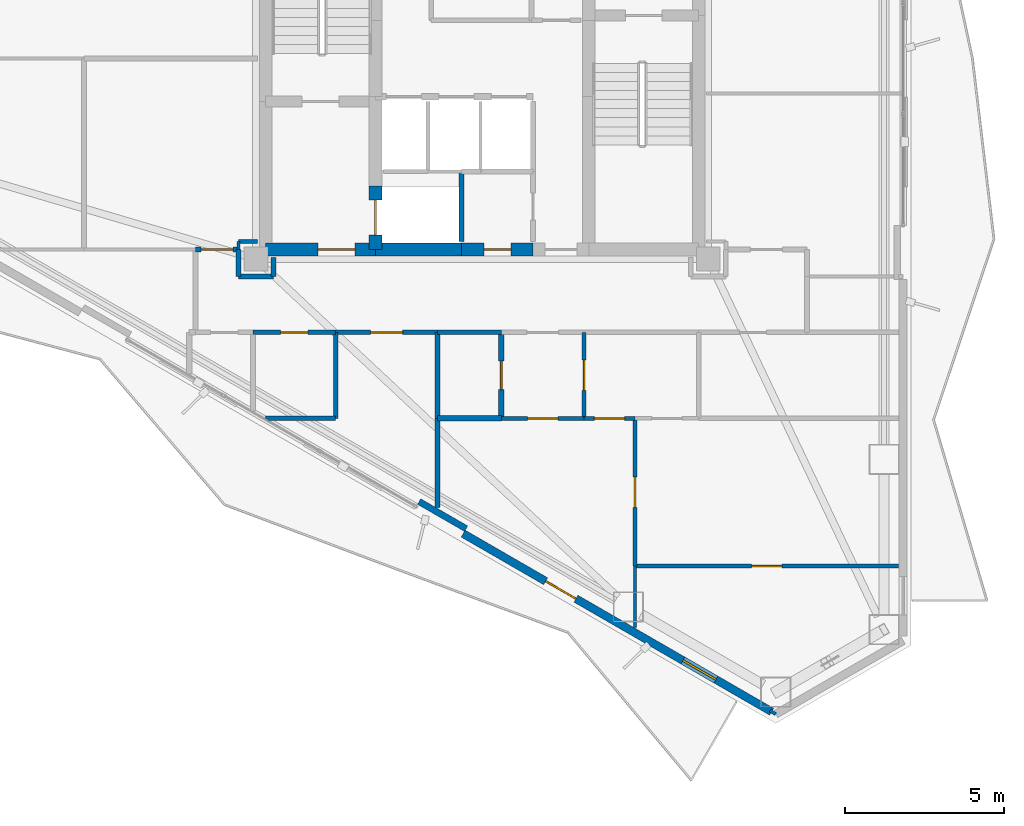
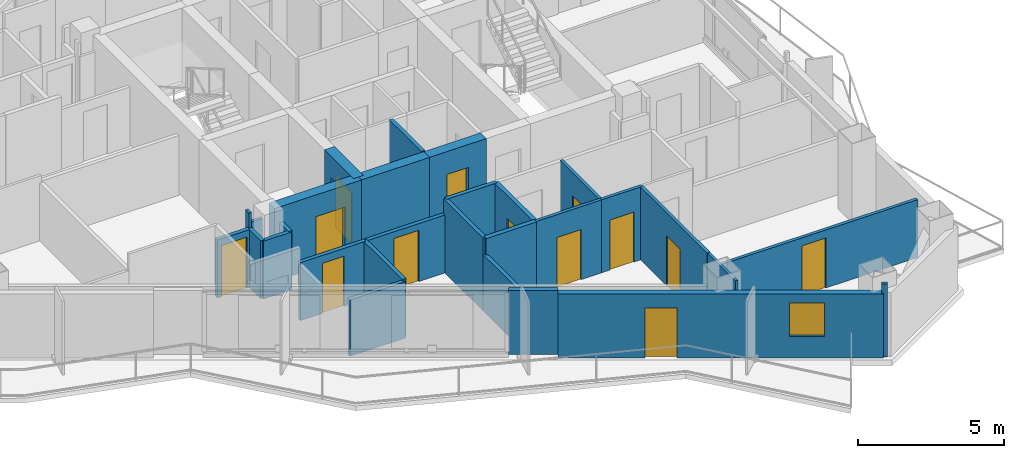
# One storey, part 12 of 18: 29 walls, 13 doors, 1 window, 14 openings.
"""IFC4 building model written with IfcOpenShell, lengths in metres."""

from ifc_helpers import new_model, si_unit, direction, frame, frame_2d, origin, place, context, subcontext, project, spatial, rectangle, extrude, material, layer, layer_set, type_object, element, fill, save


model = new_model("IFC4")

# Units and contexts
model_context = context("Model", 3, precision=1e-05, world=origin(), true_north=direction((0.0, 1.0)))
body_context = subcontext(model_context, "Body", "Model", "MODEL_VIEW")
ifc_project = project(units=[si_unit("LENGTHUNIT", "METRE"), si_unit("AREAUNIT", "SQUARE_METRE"), si_unit("VOLUMEUNIT", "CUBIC_METRE"), si_unit("PLANEANGLEUNIT", "RADIAN"), si_unit("MASSUNIT", "GRAM", prefix="KILO")], contexts=[model_context])

# Site, building, storey
site_placement = place(None, origin())
site = spatial("IfcSite", under=ifc_project, at=site_placement, CompositionType="ELEMENT")
building_placement = place(site_placement, origin())
building = spatial("IfcBuilding", under=site, at=building_placement, Name="Mersakhor Tower and Convention Hall", CompositionType="ELEMENT")
storey_placement = place(building_placement, frame((0.0, 0.0, 134.39990234375)))
storey = spatial("IfcBuildingStorey", under=building, at=storey_placement, Name="L37", CompositionType="ELEMENT", Elevation=134.39990234375)

# Wall, openings, door, window
ifc_material_1 = material(Name="Precast concrete C40/50", Category="concrete")
ifc_layer_1 = layer(ifc_material_1, 0.25)
ifc_layer_set_1 = layer_set([ifc_layer_1], Name="Precast concrete C40/50")
wall_type_1 = type_object("IfcWallType", Name="WL-EXT-250", PredefinedType="SOLIDWALL", material=ifc_layer_set_1)
wall_1_placement = place(storey_placement, frame((38.090576171875, 6.2373046875, 0.0), z_axis=(0.0, 0.0, 1.0), x_axis=(-0.86602239209, 0.500005216371, 0.0)))
wall_1 = element("IfcWall", 1, at=wall_1_placement, inside=storey, type_object=wall_type_1, Name="L37 Exterior Facade Wall F3-B1", PredefinedType="SOLIDWALL", context=body_context, shape_type="SweptSolid", body=[
    extrude(rectangle(XDim=11.18603515625, YDim=0.25, at=frame_2d((5.593017578125, 0.0))), origin(), (0.0, 0.0, 1.0), 2.68017578125),
])
opening_1_placement = place(wall_1_placement, frame((7.094970703125, 0.0, 0.0)))
opening_1 = element("IfcOpeningElement", 2, at=opening_1_placement, cuts=wall_1, Name="Opening BD-02", PredefinedType="OPENING", context=body_context, shape_type="SweptSolid", body=[
    extrude(rectangle(XDim=1.10009765625, YDim=2.10009765625, at=frame_2d((0.550048828125, 1.050048828125))), frame((0.0, 0.135009765625, 0.0), z_axis=(0.0, -1.0, 0.0), x_axis=(1.0, 0.0, 0.0)), (0.0, 0.0, 1.0), 0.27001953125),
])
opening_2_placement = place(wall_1_placement, frame((2.02001953125, 0.0, 0.89990234375)))
opening_2 = element("IfcOpeningElement", 3, at=opening_2_placement, cuts=wall_1, Name="Opening W-01", PredefinedType="OPENING", context=body_context, shape_type="SweptSolid", body=[
    extrude(rectangle(XDim=1.199951171875, YDim=1.39990234375, at=frame_2d((0.60009765625, 0.699951171875))), frame((0.0, 0.135009765625, 0.0), z_axis=(0.0, -1.0, 0.0), x_axis=(1.0, 0.0, 0.0)), (0.0, 0.0, 1.0), 0.27001953125),
])
ifc_material_2 = material(Name="Thermally broken dark aluminium and safety glass", Category="aluminium")
door_type_1 = type_object("IfcDoorType", Name="DR-BAL-110x210", OperationType="NOTDEFINED", PredefinedType="DOOR", material=ifc_material_2)
door_1_placement = place(opening_1_placement, origin())
door_1 = element("IfcDoor", 4, at=door_1_placement, inside=storey, type_object=door_type_1, Name="L37 Balcony Terrace Door F3-B1", OperationType="SINGLE_SWING_RIGHT", OverallHeight=2.10009765625, OverallWidth=1.10009765625, PredefinedType="DOOR", context=body_context, shape_type="SweptSolid", body=[
    extrude(rectangle(XDim=1.10009765625, YDim=2.10009765625, at=frame_2d((0.550048828125, 1.050048828125))), frame((0.0, 0.02490234375, 0.0), z_axis=(0.0, -1.0, 0.0), x_axis=(1.0, 0.0, 0.0)), (0.0, 0.0, 1.0), 0.050048828125),
])
fill(opening_1, door_1)
ifc_material_3 = material(Name="Dark solar low-E glazed aluminium window", Category="aluminium")
window_type = type_object("IfcWindowType", Name="WN-RES-120x150", PartitioningType="SINGLE_PANEL", PredefinedType="WINDOW", material=ifc_material_3)
window_placement = place(opening_2_placement, origin())
window = element("IfcWindow", 5, at=window_placement, inside=storey, type_object=window_type, Name="L37 Bedroom Facade Window F3-B1-1", OverallHeight=1.39990234375, OverallWidth=1.199951171875, PartitioningType="SINGLE_PANEL", PredefinedType="WINDOW", context=body_context, shape_type="SweptSolid", body=[
    extrude(rectangle(XDim=1.199951171875, YDim=1.39990234375, at=frame_2d((0.60009765625, 0.699951171875))), frame((0.0, 0.030029296875, 0.0), z_axis=(0.0, -1.0, 0.0), x_axis=(1.0, 0.0, 0.0)), (0.0, 0.0, 1.0), 0.06005859375),
])
fill(opening_2, window)

# Wall
ifc_material_4 = material(Name="Precast concrete C40/50", Category="concrete")
ifc_layer_2 = layer(ifc_material_4, 0.199951171875)
ifc_layer_set_2 = layer_set([ifc_layer_2], Name="Precast concrete C40/50")
wall_type_2 = type_object("IfcWallType", Name="WL-PAR-200", PredefinedType="PARAPET", material=ifc_layer_set_2)
wall_2_placement = place(storey_placement, frame((28.4931640625, 11.986328125, 0.0), z_axis=(0.0, 0.0, 1.0), x_axis=(-0.86605165483, 0.499954529098, 0.0)))
element("IfcWall", 6, at=wall_2_placement, inside=storey, type_object=wall_type_2, Name="L37 Column Pier Cladding Wall F3-C1", PredefinedType="PARAPET", context=body_context, shape_type="SweptSolid", body=[
    extrude(rectangle(XDim=1.699951171875, YDim=0.199951171875, at=frame_2d((0.85009765625, 0.0))), origin(), (0.0, 0.0, 1.0), 2.68017578125),
])

# Wall, opening, door
ifc_material_5 = material(Name="Moisture-resistant acoustic drywall studwork", Category="other")
ifc_layer_3 = layer(ifc_material_5, 0.175048828125)
ifc_layer_set_3 = layer_set([ifc_layer_3], Name="Moisture-resistant acoustic drywall studwork")
wall_type_3 = type_object("IfcWallType", Name="WL-PLM-175", PredefinedType="PLUMBINGWALL", material=ifc_layer_set_3)
wall_3_placement = place(storey_placement, frame((29.60009765625, 15.449951171875, 0.0), z_axis=(0.0, 0.0, 1.0), x_axis=(0.0, 1.0, 0.0)))
wall_3 = element("IfcWall", 7, at=wall_3_placement, inside=storey, type_object=wall_type_3, Name="L37 Interior Partition Wall P-056", PredefinedType="PLUMBINGWALL", context=body_context, shape_type="SweptSolid", body=[
    extrude(rectangle(XDim=2.699951171875, YDim=0.175048828125, at=frame_2d((1.35009765625, 0.0))), origin(), (0.0, 0.0, 1.0), 3.06005859375),
])
opening_3_placement = place(wall_3_placement, frame((0.89990234375, 0.0, 0.0)))
opening_3 = element("IfcOpeningElement", 8, at=opening_3_placement, cuts=wall_3, Name="Opening WD-01", PredefinedType="OPENING", context=body_context, shape_type="SweptSolid", body=[
    extrude(rectangle(XDim=0.89990234375, YDim=2.10009765625, at=frame_2d((0.449951171875, 1.050048828125))), frame((0.0, 0.097412109375, 0.0), z_axis=(0.0, -1.0, 0.0), x_axis=(1.0, 0.0, 0.0)), (0.0, 0.0, 1.0), 0.195068359375),
])
ifc_material_6 = material(Name="Solid-core hardwood leaf in painted steel frame", Category="steel")
door_type_2 = type_object("IfcDoorType", Name="DR-INT-WET-090x210", OperationType="NOTDEFINED", PredefinedType="DOOR", material=ifc_material_6)
door_2_placement = place(opening_3_placement, origin())
door_2 = element("IfcDoor", 9, at=door_2_placement, inside=storey, type_object=door_type_2, Name="L37 L37 Flat S3 Apartment Hall to L37 Flat S3 Bathroom Door", OperationType="SINGLE_SWING_RIGHT", OverallHeight=2.10009765625, OverallWidth=0.89990234375, PredefinedType="DOOR", context=body_context, shape_type="SweptSolid", body=[
    extrude(rectangle(XDim=0.89990234375, YDim=2.10009765625, at=frame_2d((0.449951171875, 1.050048828125))), frame((0.0, 0.02490234375, 0.0), z_axis=(0.0, -1.0, 0.0), x_axis=(1.0, 0.0, 0.0)), (0.0, 0.0, 1.0), 0.050048828125),
])
fill(opening_3, door_2)

# Walls
wall_4_placement = place(storey_placement, frame((29.60009765625, 15.449951171875, 0.0), z_axis=(0.0, 0.0, 1.0), x_axis=(-1.0, 0.0, 0.0)))
element("IfcWall", 10, at=wall_4_placement, inside=storey, type_object=wall_type_3, Name="L37 Interior Partition Wall P-074", PredefinedType="PLUMBINGWALL", context=body_context, shape_type="SweptSolid", body=[
    extrude(rectangle(XDim=2.0, YDim=0.175048828125, at=frame_2d((1.0, 0.0))), origin(), (0.0, 0.0, 1.0), 3.06005859375),
])
ifc_material_7 = material(Name="Lightweight gypsum partition", Category="other")
ifc_layer_4 = layer(ifc_material_7, 0.10009765625)
ifc_layer_set_4 = layer_set([ifc_layer_4], Name="Lightweight gypsum partition")
wall_type_4 = type_object("IfcWallType", Name="WL-PRT-100", PredefinedType="PARTITIONING", material=ifc_layer_set_4)
wall_5_placement = place(storey_placement, frame((21.35009765625, 21.0, 0.0), z_axis=(0.0, 0.0, 1.0), x_axis=(0.0, -1.0, 0.0)))
element("IfcWall", 11, at=wall_5_placement, inside=storey, type_object=wall_type_4, Name="L37 Interior Partition Wall P-096", PredefinedType="PARTITIONING", context=body_context, shape_type="SweptSolid", body=[
    extrude(rectangle(XDim=0.25, YDim=0.10009765625, at=frame_2d((0.125, 0.0))), origin(), (0.0, 0.0, 1.0), 3.06005859375),
])
wall_6_placement = place(storey_placement, frame((33.800048828125, 10.81005859375, 0.0), z_axis=(0.0, 0.0, 1.0), x_axis=(0.0, -1.0, 0.0)))
element("IfcWall", 12, at=wall_6_placement, inside=storey, type_object=wall_type_4, Name="L37 Interior Partition Wall P-120", PredefinedType="PARTITIONING", context=body_context, shape_type="SweptSolid", body=[
    extrude(rectangle(XDim=1.92333984375, YDim=0.10009765625, at=frame_2d((0.961669921875, 0.0))), origin(), (0.0, 0.0, 1.0), 3.06005859375),
])
wall_7_placement = place(storey_placement, frame((38.220703125, 6.162109375, 0.0), z_axis=(0.0, 0.0, 1.0), x_axis=(-0.865581379588, 0.500768285049, 0.0)))
element("IfcWall", 13, at=wall_7_placement, inside=storey, type_object=wall_type_4, Name="L37 Interior Partition Wall P-122", PredefinedType="PARTITIONING", context=body_context, shape_type="SweptSolid", body=[
    extrude(rectangle(XDim=0.215576171875, YDim=0.10009765625, at=frame_2d((0.10791015625, 0.0))), origin(), (0.0, 0.0, 1.0), 3.06005859375),
])

# Wall, opening, door
ifc_material_8 = material(Name="Gypsum board acoustic partition", Category="other")
ifc_layer_5 = layer(ifc_material_8, 0.125)
ifc_layer_set_5 = layer_set([ifc_layer_5], Name="Gypsum board acoustic partition")
wall_type_5 = type_object("IfcWallType", Name="WL-PRT-125", PredefinedType="PARTITIONING", material=ifc_layer_set_5)
wall_8_placement = place(storey_placement, frame((32.199951171875, 15.449951171875, 0.0), z_axis=(0.0, 0.0, 1.0), x_axis=(-1.0, 0.0, 0.0)))
wall_8 = element("IfcWall", 14, at=wall_8_placement, inside=storey, type_object=wall_type_5, Name="L37 Interior Partition Wall P-055", PredefinedType="PARTITIONING", context=body_context, shape_type="SweptSolid", body=[
    extrude(rectangle(XDim=2.599853515625, YDim=0.125, at=frame_2d((1.2998046875, 0.0))), origin(), (0.0, 0.0, 1.0), 3.06005859375),
])
opening_4_placement = place(wall_8_placement, frame((0.824951171875, 0.0, 0.0)))
opening_4 = element("IfcOpeningElement", 15, at=opening_4_placement, cuts=wall_8, Name="Opening RD-01", PredefinedType="OPENING", context=body_context, shape_type="SweptSolid", body=[
    extrude(rectangle(XDim=0.949951171875, YDim=2.10009765625, at=frame_2d((0.47509765625, 1.050048828125))), frame((0.0, 0.072509765625, 0.0), z_axis=(0.0, -1.0, 0.0), x_axis=(1.0, 0.0, 0.0)), (0.0, 0.0, 1.0), 0.14501953125),
])
ifc_material_9 = material(Name="Solid-core hardwood leaf in painted steel frame", Category="steel")
door_type_3 = type_object("IfcDoorType", Name="DR-INT-RM-095x210", OperationType="NOTDEFINED", PredefinedType="DOOR", material=ifc_material_9)
door_3_placement = place(opening_4_placement, origin())
door_3 = element("IfcDoor", 16, at=door_3_placement, inside=storey, type_object=door_type_3, Name="L37 L37 Flat S3 Apartment Hall to L37 Flat S3 Living and Dining Room Door", OperationType="SINGLE_SWING_RIGHT", OverallHeight=2.10009765625, OverallWidth=0.949951171875, PredefinedType="DOOR", context=body_context, shape_type="SweptSolid", body=[
    extrude(rectangle(XDim=0.949951171875, YDim=2.10009765625, at=frame_2d((0.47509765625, 1.050048828125))), frame((0.0, 0.02490234375, 0.0), z_axis=(0.0, -1.0, 0.0), x_axis=(1.0, 0.0, 0.0)), (0.0, 0.0, 1.0), 0.050048828125),
])
fill(opening_4, door_3)

wall_9_placement = place(storey_placement, frame((32.199951171875, 18.14990234375, 0.0), z_axis=(0.0, 0.0, 1.0), x_axis=(0.0, -1.0, 0.0)))
wall_9 = element("IfcWall", 17, at=wall_9_placement, inside=storey, type_object=wall_type_5, Name="L37 Interior Partition Wall P-057", PredefinedType="PARTITIONING", context=body_context, shape_type="SweptSolid", body=[
    extrude(rectangle(XDim=2.699951171875, YDim=0.125, at=frame_2d((1.35009765625, 0.0))), origin(), (0.0, 0.0, 1.0), 3.06005859375),
])
opening_5_placement = place(wall_9_placement, frame((0.875, 0.0, 0.0)))
opening_5 = element("IfcOpeningElement", 18, at=opening_5_placement, cuts=wall_9, Name="Opening RD-01", PredefinedType="OPENING", context=body_context, shape_type="SweptSolid", body=[
    extrude(rectangle(XDim=0.949951171875, YDim=2.10009765625, at=frame_2d((0.47509765625, 1.050048828125))), frame((0.0, 0.072509765625, 0.0), z_axis=(0.0, -1.0, 0.0), x_axis=(1.0, 0.0, 0.0)), (0.0, 0.0, 1.0), 0.14501953125),
])
door_4_placement = place(opening_5_placement, origin())
door_4 = element("IfcDoor", 19, at=door_4_placement, inside=storey, type_object=door_type_3, Name="L37 L37 Flat S3 Apartment Hall to L37 Flat S3 Kitchen Door", OperationType="SINGLE_SWING_LEFT", OverallHeight=2.10009765625, OverallWidth=0.949951171875, PredefinedType="DOOR", context=body_context, shape_type="SweptSolid", body=[
    extrude(rectangle(XDim=0.949951171875, YDim=2.10009765625, at=frame_2d((0.47509765625, 1.050048828125))), frame((0.0, 0.02490234375, 0.0), z_axis=(0.0, -1.0, 0.0), x_axis=(1.0, 0.0, 0.0)), (0.0, 0.0, 1.0), 0.050048828125),
])
fill(opening_5, door_4)

wall_10_placement = place(storey_placement, frame((33.800048828125, 15.449951171875, 0.0), z_axis=(0.0, 0.0, 1.0), x_axis=(-1.0, 0.0, 0.0)))
wall_10 = element("IfcWall", 20, at=wall_10_placement, inside=storey, type_object=wall_type_5, Name="L37 Interior Partition Wall P-077", PredefinedType="PARTITIONING", context=body_context, shape_type="SweptSolid", body=[
    extrude(rectangle(XDim=1.60009765625, YDim=0.125, at=frame_2d((0.800048828125, 0.0))), origin(), (0.0, 0.0, 1.0), 3.06005859375),
])
opening_6_placement = place(wall_10_placement, frame((0.324951171875, 0.0, 0.0)))
opening_6 = element("IfcOpeningElement", 21, at=opening_6_placement, cuts=wall_10, Name="Opening RD-01", PredefinedType="OPENING", context=body_context, shape_type="SweptSolid", body=[
    extrude(rectangle(XDim=0.949951171875, YDim=2.10009765625, at=frame_2d((0.47509765625, 1.050048828125))), frame((0.0, 0.072509765625, 0.0), z_axis=(0.0, -1.0, 0.0), x_axis=(1.0, 0.0, 0.0)), (0.0, 0.0, 1.0), 0.14501953125),
])
door_5_placement = place(opening_6_placement, origin())
door_5 = element("IfcDoor", 22, at=door_5_placement, inside=storey, type_object=door_type_3, Name="L37 L37 Flat S3 Kitchen to L37 Flat S3 Living and Dining Room Door", OperationType="SINGLE_SWING_RIGHT", OverallHeight=2.10009765625, OverallWidth=0.949951171875, PredefinedType="DOOR", context=body_context, shape_type="SweptSolid", body=[
    extrude(rectangle(XDim=0.949951171875, YDim=2.10009765625, at=frame_2d((0.47509765625, 1.050048828125))), frame((0.0, 0.02490234375, 0.0), z_axis=(0.0, -1.0, 0.0), x_axis=(1.0, 0.0, 0.0)), (0.0, 0.0, 1.0), 0.050048828125),
])
fill(opening_6, door_5)

# Wall
wall_11_placement = place(storey_placement, frame((21.949951171875, 21.0, 0.0), z_axis=(0.0, 0.0, 1.0), x_axis=(-1.0, 0.0, 0.0)))
element("IfcWall", 23, at=wall_11_placement, inside=storey, type_object=wall_type_5, Name="L37 Interior Partition Wall P-095", PredefinedType="PARTITIONING", context=body_context, shape_type="SweptSolid", body=[
    extrude(rectangle(XDim=0.599853515625, YDim=0.125, at=frame_2d((0.2998046875, 0.0))), origin(), (0.0, 0.0, 1.0), 2.50830078125),
])

# Wall, opening, door
wall_12_placement = place(storey_placement, frame((33.800048828125, 15.449951171875, 0.0), z_axis=(0.0, 0.0, 1.0), x_axis=(0.0, -1.0, 0.0)))
wall_12 = element("IfcWall", 24, at=wall_12_placement, inside=storey, type_object=wall_type_5, Name="L37 Interior Partition Wall P-119", PredefinedType="PARTITIONING", context=body_context, shape_type="SweptSolid", body=[
    extrude(rectangle(XDim=4.639892578125, YDim=0.125, at=frame_2d((2.31982421875, 0.0))), origin(), (0.0, 0.0, 1.0), 3.06005859375),
])
opening_7_placement = place(wall_12_placement, frame((1.844970703125, 0.0, 0.0)))
opening_7 = element("IfcOpeningElement", 25, at=opening_7_placement, cuts=wall_12, Name="Opening RD-01", PredefinedType="OPENING", context=body_context, shape_type="SweptSolid", body=[
    extrude(rectangle(XDim=0.949951171875, YDim=2.10009765625, at=frame_2d((0.47509765625, 1.050048828125))), frame((0.0, 0.072509765625, 0.0), z_axis=(0.0, -1.0, 0.0), x_axis=(1.0, 0.0, 0.0)), (0.0, 0.0, 1.0), 0.14501953125),
])
door_6_placement = place(opening_7_placement, origin())
door_6 = element("IfcDoor", 26, at=door_6_placement, inside=storey, type_object=door_type_3, Name="L37 L37 Flat S3 Living and Dining Room to L37 Flat S3 Dining Room Door", OperationType="SINGLE_SWING_RIGHT", OverallHeight=2.10009765625, OverallWidth=0.949951171875, PredefinedType="DOOR", context=body_context, shape_type="SweptSolid", body=[
    extrude(rectangle(XDim=0.949951171875, YDim=2.10009765625, at=frame_2d((0.47509765625, 1.050048828125))), frame((0.0, 0.02490234375, 0.0), z_axis=(0.0, -1.0, 0.0), x_axis=(1.0, 0.0, 0.0)), (0.0, 0.0, 1.0), 0.050048828125),
])
fill(opening_7, door_6)

wall_13_placement = place(storey_placement, frame((33.800048828125, 10.81005859375, 0.0), z_axis=(0.0, 0.0, 1.0), x_axis=(1.0, 0.0, 0.0)))
wall_13 = element("IfcWall", 27, at=wall_13_placement, inside=storey, type_object=wall_type_5, Name="L37 Interior Partition Wall P-121", PredefinedType="PARTITIONING", context=body_context, shape_type="SweptSolid", body=[
    extrude(rectangle(XDim=8.270263671875, YDim=0.125, at=frame_2d((4.13525390625, 0.0))), origin(), (0.0, 0.0, 1.0), 2.432861328125),
])
opening_8_placement = place(wall_13_placement, frame((3.66015625, 0.0, 0.0)))
opening_8 = element("IfcOpeningElement", 28, at=opening_8_placement, cuts=wall_13, Name="Opening RD-01", PredefinedType="OPENING", context=body_context, shape_type="SweptSolid", body=[
    extrude(rectangle(XDim=0.949951171875, YDim=2.10009765625, at=frame_2d((0.47509765625, 1.050048828125))), frame((0.0, 0.072509765625, 0.0), z_axis=(0.0, -1.0, 0.0), x_axis=(1.0, 0.0, 0.0)), (0.0, 0.0, 1.0), 0.14501953125),
])
door_7_placement = place(opening_8_placement, origin())
door_7 = element("IfcDoor", 29, at=door_7_placement, inside=storey, type_object=door_type_3, Name="L37 L37 Flat S3 Bedroom 1 to L37 Flat S3 Dining Room Door", OperationType="SINGLE_SWING_LEFT", OverallHeight=2.10009765625, OverallWidth=0.949951171875, PredefinedType="DOOR", context=body_context, shape_type="SweptSolid", body=[
    extrude(rectangle(XDim=0.949951171875, YDim=2.10009765625, at=frame_2d((0.47509765625, 1.050048828125))), frame((0.0, 0.02490234375, 0.0), z_axis=(0.0, -1.0, 0.0), x_axis=(1.0, 0.0, 0.0)), (0.0, 0.0, 1.0), 0.050048828125),
])
fill(opening_8, door_7)

# Walls
ifc_material_10 = material(Name="Fire-rated gypsum board stud partition", Category="other")
ifc_layer_6 = layer(ifc_material_10, 0.14990234375)
ifc_layer_set_6 = layer_set([ifc_layer_6], Name="Fire-rated gypsum board stud partition")
wall_type_6 = type_object("IfcWallType", Name="WL-PRT-150", PredefinedType="PARTITIONING", material=ifc_layer_set_6)
wall_14_placement = place(storey_placement, frame((28.35009765625, 23.199951171875, 0.0), z_axis=(0.0, 0.0, 1.0), x_axis=(0.0, -1.0, 0.0)))
element("IfcWall", 30, at=wall_14_placement, inside=storey, type_object=wall_type_6, Name="L37 Interior Partition Wall P-003", PredefinedType="PARTITIONING", context=body_context, shape_type="SweptSolid", body=[
    extrude(rectangle(XDim=2.199951171875, YDim=0.14990234375, at=frame_2d((1.10009765625, 0.0))), origin(), (0.0, 0.0, 1.0), 3.06005859375),
])
wall_15_placement = place(storey_placement, frame((22.449951171875, 19.89990234375, 0.0), z_axis=(0.0, 0.0, 1.0), x_axis=(0.0, 1.0, 0.0)))
element("IfcWall", 31, at=wall_15_placement, inside=storey, type_object=wall_type_6, Name="L37 Interior Partition Wall P-034", PredefinedType="PARTITIONING", context=body_context, shape_type="SweptSolid", body=[
    extrude(rectangle(XDim=0.60009765625, YDim=0.14990234375, at=frame_2d((0.300048828125, 0.0))), origin(), (0.0, 0.0, 1.0), 2.432861328125),
])
wall_16_placement = place(storey_placement, frame((29.60009765625, 18.14990234375, 0.0), z_axis=(0.0, 0.0, 1.0), x_axis=(-1.0, 0.0, 0.0)))
element("IfcWall", 32, at=wall_16_placement, inside=storey, type_object=wall_type_6, Name="L37 Interior Partition Wall P-044", PredefinedType="PARTITIONING", context=body_context, shape_type="SweptSolid", body=[
    extrude(rectangle(XDim=2.0, YDim=0.14990234375, at=frame_2d((1.0, 0.0))), origin(), (0.0, 0.0, 1.0), 3.06005859375),
])

# Wall, opening, door
wall_17_placement = place(storey_placement, frame((27.60009765625, 18.14990234375, 0.0), z_axis=(0.0, 0.0, 1.0), x_axis=(-1.0, 0.0, 0.0)))
wall_17 = element("IfcWall", 33, at=wall_17_placement, inside=storey, type_object=wall_type_6, Name="L37 Interior Partition Wall P-045", PredefinedType="PARTITIONING", context=body_context, shape_type="SweptSolid", body=[
    extrude(rectangle(XDim=3.2001953125, YDim=0.14990234375, at=frame_2d((1.60009765625, 0.0))), origin(), (0.0, 0.0, 1.0), 2.432861328125),
])
opening_9_placement = place(wall_17_placement, frame((1.10009765625, 0.0, 0.0)))
opening_9 = element("IfcOpeningElement", 34, at=opening_9_placement, cuts=wall_17, Name="Opening FD-01", PredefinedType="OPENING", context=body_context, shape_type="SweptSolid", body=[
    extrude(rectangle(XDim=1.0, YDim=2.14990234375, at=frame_2d((0.5, 1.074951171875))), frame((0.0, 0.0849609375, 0.0), z_axis=(0.0, -1.0, 0.0), x_axis=(1.0, 0.0, 0.0)), (0.0, 0.0, 1.0), 0.169921875),
])
ifc_material_11 = material(Name="Fire-rated hardwood leaf and painted steel frame", Category="steel")
door_type_4 = type_object("IfcDoorType", Name="DR-INT-FLT-100x215", OperationType="NOTDEFINED", PredefinedType="DOOR", material=ifc_material_11)
door_8_placement = place(opening_9_placement, origin())
door_8 = element("IfcDoor", 35, at=door_8_placement, inside=storey, type_object=door_type_4, Name="L37 Residential South Gallery Corridor to L37 Floor Shared Tea Pantry 2-3 Door", OperationType="SINGLE_SWING_RIGHT", OverallHeight=2.14990234375, OverallWidth=1.0, PredefinedType="DOOR", context=body_context, shape_type="SweptSolid", body=[
    extrude(rectangle(XDim=1.0, YDim=2.14990234375, at=frame_2d((0.5, 1.074951171875))), frame((0.0, 0.02490234375, 0.0), z_axis=(0.0, -1.0, 0.0), x_axis=(1.0, 0.0, 0.0)), (0.0, 0.0, 1.0), 0.050048828125),
])
fill(opening_9, door_8)

wall_18_placement = place(storey_placement, frame((24.39990234375, 18.14990234375, 0.0), z_axis=(0.0, 0.0, 1.0), x_axis=(-1.0, 0.0, 0.0)))
wall_18 = element("IfcWall", 36, at=wall_18_placement, inside=storey, type_object=wall_type_6, Name="L37 Interior Partition Wall P-046", PredefinedType="PARTITIONING", context=body_context, shape_type="SweptSolid", body=[
    extrude(rectangle(XDim=2.599853515625, YDim=0.14990234375, at=frame_2d((1.2998046875, 0.0))), origin(), (0.0, 0.0, 1.0), 2.432861328125),
])
opening_10_placement = place(wall_18_placement, frame((0.875, 0.0, 0.0)))
opening_10 = element("IfcOpeningElement", 37, at=opening_10_placement, cuts=wall_18, Name="Opening SVD-01", PredefinedType="OPENING", context=body_context, shape_type="SweptSolid", body=[
    extrude(rectangle(XDim=0.85009765625, YDim=2.10009765625, at=frame_2d((0.425048828125, 1.050048828125))), frame((0.0, 0.0849609375, 0.0), z_axis=(0.0, -1.0, 0.0), x_axis=(1.0, 0.0, 0.0)), (0.0, 0.0, 1.0), 0.169921875),
])
ifc_material_12 = material(Name="Fire-rated hardwood leaf and painted steel frame", Category="steel")
door_type_5 = type_object("IfcDoorType", Name="DR-INT-SVC-085x210", OperationType="NOTDEFINED", PredefinedType="DOOR", material=ifc_material_12)
door_9_placement = place(opening_10_placement, origin())
door_9 = element("IfcDoor", 38, at=door_9_placement, inside=storey, type_object=door_type_5, Name="L37 Residential South Gallery Corridor to L37 Floor Household Store Room 2-1 Door", OperationType="SINGLE_SWING_LEFT", OverallHeight=2.10009765625, OverallWidth=0.85009765625, PredefinedType="DOOR", context=body_context, shape_type="SweptSolid", body=[
    extrude(rectangle(XDim=0.85009765625, YDim=2.10009765625, at=frame_2d((0.425048828125, 1.050048828125))), frame((0.0, 0.02490234375, 0.0), z_axis=(0.0, -1.0, 0.0), x_axis=(1.0, 0.0, 0.0)), (0.0, 0.0, 1.0), 0.050048828125),
])
fill(opening_10, door_9)

wall_19_placement = place(storey_placement, frame((20.0, 20.75, 0.0), z_axis=(0.0, 0.0, 1.0), x_axis=(1.0, 0.0, 0.0)))
wall_19 = element("IfcWall", 39, at=wall_19_placement, inside=storey, type_object=wall_type_6, Name="L37 Interior Partition Wall P-049", PredefinedType="PARTITIONING", context=body_context, shape_type="SweptSolid", body=[
    extrude(rectangle(XDim=1.35009765625, YDim=0.14990234375, at=frame_2d((0.675048828125, 0.0))), origin(), (0.0, 0.0, 1.0), 2.432861328125),
])
opening_11_placement = place(wall_19_placement, frame((0.175048828125, 0.0, 0.0)))
opening_11 = element("IfcOpeningElement", 40, at=opening_11_placement, cuts=wall_19, Name="Opening FD-01", PredefinedType="OPENING", context=body_context, shape_type="SweptSolid", body=[
    extrude(rectangle(XDim=1.0, YDim=2.14990234375, at=frame_2d((0.5, 1.074951171875))), frame((0.0, 0.0849609375, 0.0), z_axis=(0.0, -1.0, 0.0), x_axis=(1.0, 0.0, 0.0)), (0.0, 0.0, 1.0), 0.169921875),
])
door_10_placement = place(opening_11_placement, origin())
door_10 = element("IfcDoor", 41, at=door_10_placement, inside=storey, type_object=door_type_4, Name="L37 Residential South Gallery Corridor to L37 West Wing Quiet Study Room Door", OperationType="SINGLE_SWING_LEFT", OverallHeight=2.14990234375, OverallWidth=1.0, PredefinedType="DOOR", context=body_context, shape_type="SweptSolid", body=[
    extrude(rectangle(XDim=1.0, YDim=2.14990234375, at=frame_2d((0.5, 1.074951171875))), frame((0.0, 0.02490234375, 0.0), z_axis=(0.0, -1.0, 0.0), x_axis=(1.0, 0.0, 0.0)), (0.0, 0.0, 1.0), 0.050048828125),
])
fill(opening_11, door_10)

# Walls
wall_20_placement = place(storey_placement, frame((21.35009765625, 20.75, 0.0), z_axis=(0.0, 0.0, 1.0), x_axis=(0.0, -1.0, 0.0)))
element("IfcWall", 42, at=wall_20_placement, inside=storey, type_object=wall_type_6, Name="L37 Interior Partition Wall P-050", PredefinedType="PARTITIONING", context=body_context, shape_type="SweptSolid", body=[
    extrude(rectangle(XDim=0.85009765625, YDim=0.14990234375, at=frame_2d((0.425048828125, 0.0))), origin(), (0.0, 0.0, 1.0), 2.432861328125),
])
wall_21_placement = place(storey_placement, frame((21.35009765625, 19.89990234375, 0.0), z_axis=(0.0, 0.0, 1.0), x_axis=(1.0, 0.0, 0.0)))
element("IfcWall", 43, at=wall_21_placement, inside=storey, type_object=wall_type_6, Name="L37 Interior Partition Wall P-051", PredefinedType="PARTITIONING", context=body_context, shape_type="SweptSolid", body=[
    extrude(rectangle(XDim=1.099853515625, YDim=0.14990234375, at=frame_2d((0.5498046875, 0.0))), origin(), (0.0, 0.0, 1.0), 2.432861328125),
])
wall_22_placement = place(storey_placement, frame((27.60009765625, 15.449951171875, 0.0), z_axis=(0.0, 0.0, 1.0), x_axis=(0.0, 1.0, 0.0)))
element("IfcWall", 44, at=wall_22_placement, inside=storey, type_object=wall_type_6, Name="L37 Interior Partition Wall P-075", PredefinedType="PARTITIONING", context=body_context, shape_type="SweptSolid", body=[
    extrude(rectangle(XDim=2.699951171875, YDim=0.14990234375, at=frame_2d((1.35009765625, 0.0))), origin(), (0.0, 0.0, 1.0), 3.06005859375),
])
wall_23_placement = place(storey_placement, frame((24.39990234375, 18.14990234375, 0.0), z_axis=(0.0, 0.0, 1.0), x_axis=(0.0, -1.0, 0.0)))
element("IfcWall", 45, at=wall_23_placement, inside=storey, type_object=wall_type_6, Name="L37 Interior Partition Wall P-116", PredefinedType="PARTITIONING", context=body_context, shape_type="SweptSolid", body=[
    extrude(rectangle(XDim=2.699951171875, YDim=0.14990234375, at=frame_2d((1.35009765625, 0.0))), origin(), (0.0, 0.0, 1.0), 2.432861328125),
])
wall_24_placement = place(storey_placement, frame((24.39990234375, 15.449951171875, 0.0), z_axis=(0.0, 0.0, 1.0), x_axis=(-1.0, 0.0, 0.0)))
element("IfcWall", 46, at=wall_24_placement, inside=storey, type_object=wall_type_6, Name="L37 Interior Partition Wall P-117", PredefinedType="PARTITIONING", context=body_context, shape_type="SweptSolid", body=[
    extrude(rectangle(XDim=2.197021484375, YDim=0.14990234375, at=frame_2d((1.0986328125, 0.0))), origin(), (0.0, 0.0, 1.0), 2.364990234375),
])
wall_25_placement = place(storey_placement, frame((27.60009765625, 15.449951171875, 0.0), z_axis=(0.0, 0.0, 1.0), x_axis=(0.0, -1.0, 0.0)))
element("IfcWall", 47, at=wall_25_placement, inside=storey, type_object=wall_type_6, Name="L37 Interior Partition Wall P-118", PredefinedType="PARTITIONING", context=body_context, shape_type="SweptSolid", body=[
    extrude(rectangle(XDim=2.804931640625, YDim=0.14990234375, at=frame_2d((1.40234375, 0.0))), origin(), (0.0, 0.0, 1.0), 2.364990234375),
])

# Wall, opening, door
ifc_material_13 = material(Name="Concrete C60/75", Category="concrete")
ifc_layer_7 = layer(ifc_material_13, 0.39990234375)
ifc_layer_set_7 = layer_set([ifc_layer_7], Name="Concrete C60/75")
wall_type_7 = type_object("IfcWallType", Name="WL-SHR-400", PredefinedType="SHEAR", material=ifc_layer_set_7)
wall_26_placement = place(storey_placement, frame((30.60009765625, 20.75, 0.0), z_axis=(0.0, 0.0, 1.0), x_axis=(-1.0, 0.0, 0.0)))
wall_26 = element("IfcWall", 48, at=wall_26_placement, inside=storey, type_object=wall_type_7, Name="L37 Core Wall CW-S2B", PredefinedType="SHEAR", context=body_context, shape_type="SweptSolid", body=[
    extrude(rectangle(XDim=2.25, YDim=0.39990234375, at=frame_2d((1.125, 0.0))), origin(), (0.0, 0.0, 1.0), 3.06005859375),
])
opening_12_placement = place(wall_26_placement, frame((0.699951171875, 0.0, 0.0)))
opening_12 = element("IfcOpeningElement", 49, at=opening_12_placement, cuts=wall_26, Name="Opening SVD-01", PredefinedType="OPENING", context=body_context, shape_type="SweptSolid", body=[
    extrude(rectangle(XDim=0.85009765625, YDim=2.10009765625, at=frame_2d((0.425048828125, 1.050048828125))), frame((0.0, 0.2099609375, 0.0), z_axis=(0.0, -1.0, 0.0), x_axis=(1.0, 0.0, 0.0)), (0.0, 0.0, 1.0), 0.419921875),
])
door_11_placement = place(opening_12_placement, origin())
door_11 = element("IfcDoor", 50, at=door_11_placement, inside=storey, type_object=door_type_5, Name="L37 Residential South Gallery Corridor to Electrical Distribution Room Door", OperationType="SINGLE_SWING_LEFT", OverallHeight=2.10009765625, OverallWidth=0.85009765625, PredefinedType="DOOR", context=body_context, shape_type="SweptSolid", body=[
    extrude(rectangle(XDim=0.85009765625, YDim=2.10009765625, at=frame_2d((0.425048828125, 1.050048828125))), frame((0.0, 0.02490234375, 0.0), z_axis=(0.0, -1.0, 0.0), x_axis=(1.0, 0.0, 0.0)), (0.0, 0.0, 1.0), 0.050048828125),
])
fill(opening_12, door_11)

# Wall
wall_27_placement = place(storey_placement, frame((28.35009765625, 20.75, 0.0), z_axis=(0.0, 0.0, 1.0), x_axis=(-1.0, 0.0, 0.0)))
element("IfcWall", 51, at=wall_27_placement, inside=storey, type_object=wall_type_7, Name="L37 Core Wall CW-S3", PredefinedType="SHEAR", context=body_context, shape_type="SweptSolid", body=[
    extrude(rectangle(XDim=2.7001953125, YDim=0.39990234375, at=frame_2d((1.35009765625, 0.0))), origin(), (0.0, 0.0, 1.0), 3.06005859375),
])

# Wall, opening, door
wall_28_placement = place(storey_placement, frame((25.64990234375, 20.75, 0.0), z_axis=(0.0, 0.0, 1.0), x_axis=(-1.0, 0.0, 0.0)))
wall_28 = element("IfcWall", 52, at=wall_28_placement, inside=storey, type_object=wall_type_7, Name="L37 Core Wall CW-S4", PredefinedType="SHEAR", context=body_context, shape_type="SweptSolid", body=[
    extrude(rectangle(XDim=3.449951171875, YDim=0.39990234375, at=frame_2d((1.72509765625, 0.0))), origin(), (0.0, 0.0, 1.0), 3.06005859375),
])
opening_13_placement = place(wall_28_placement, frame((0.64990234375, 0.0, 0.0)))
opening_13 = element("IfcOpeningElement", 53, at=opening_13_placement, cuts=wall_28, Name="Opening SD-01", PredefinedType="OPENING", context=body_context, shape_type="SweptSolid", body=[
    extrude(rectangle(XDim=1.14990234375, YDim=2.14990234375, at=frame_2d((0.574951171875, 1.074951171875))), frame((0.0, 0.2099609375, 0.0), z_axis=(0.0, -1.0, 0.0), x_axis=(1.0, 0.0, 0.0)), (0.0, 0.0, 1.0), 0.419921875),
])
ifc_material_14 = material(Name="Fire-rated hardwood leaf and painted steel frame", Category="steel")
door_type_6 = type_object("IfcDoorType", Name="DR-INT-STAIR-115x215", OperationType="NOTDEFINED", PredefinedType="DOOR", material=ifc_material_14)
door_12_placement = place(opening_13_placement, origin())
door_12 = element("IfcDoor", 54, at=door_12_placement, inside=storey, type_object=door_type_6, Name="L37 Firefighting Lobby West Fire Door", OperationType="SINGLE_SWING_LEFT", OverallHeight=2.14990234375, OverallWidth=1.14990234375, PredefinedType="DOOR", context=body_context, shape_type="SweptSolid", body=[
    extrude(rectangle(XDim=1.14990234375, YDim=2.14990234375, at=frame_2d((0.574951171875, 1.074951171875))), frame((0.0, 0.02490234375, 0.0), z_axis=(0.0, -1.0, 0.0), x_axis=(1.0, 0.0, 0.0)), (0.0, 0.0, 1.0), 0.050048828125),
])
fill(opening_13, door_12)

wall_29_placement = place(storey_placement, frame((25.64990234375, 20.75, 0.0), z_axis=(0.0, 0.0, 1.0), x_axis=(0.0, 1.0, 0.0)))
wall_29 = element("IfcWall", 55, at=wall_29_placement, inside=storey, type_object=wall_type_7, Name="L37 Core Wall CS-W-FFL", PredefinedType="SHEAR", context=body_context, shape_type="SweptSolid", body=[
    extrude(rectangle(XDim=2.0, YDim=0.39990234375, at=frame_2d((1.0, 0.0))), origin(), (0.0, 0.0, 1.0), 3.06005859375),
])
opening_14_placement = place(wall_29_placement, frame((0.449951171875, 0.0, 0.0)))
opening_14 = element("IfcOpeningElement", 56, at=opening_14_placement, cuts=wall_29, Name="Opening LD-FFL1", PredefinedType="OPENING", context=body_context, shape_type="SweptSolid", body=[
    extrude(rectangle(XDim=1.10009765625, YDim=2.14990234375, at=frame_2d((0.550048828125, 1.074951171875))), frame((0.0, 0.2099609375, 0.0), z_axis=(0.0, -1.0, 0.0), x_axis=(1.0, 0.0, 0.0)), (0.0, 0.0, 1.0), 0.419921875),
])
ifc_material_15 = material(Name="Fire-rated brushed stainless steel sliding landing door", Category="steel")
door_type_7 = type_object("IfcDoorType", Name="DR-LIFT-SLD-110x215", OperationType="NOTDEFINED", PredefinedType="DOOR", material=ifc_material_15)
door_13_placement = place(opening_14_placement, origin())
door_13 = element("IfcDoor", 57, at=door_13_placement, inside=storey, type_object=door_type_7, Name="L37 Firefighting Lift Landing Door LD-FFL1", OperationType="SLIDING_TO_LEFT", OverallHeight=2.14990234375, OverallWidth=1.10009765625, PredefinedType="DOOR", context=body_context, shape_type="SweptSolid", body=[
    extrude(rectangle(XDim=1.10009765625, YDim=2.14990234375, at=frame_2d((0.550048828125, 1.074951171875))), frame((0.0, 0.02490234375, 0.0), z_axis=(0.0, -1.0, 0.0), x_axis=(1.0, 0.0, 0.0)), (0.0, 0.0, 1.0), 0.050048828125),
])
fill(opening_14, door_13)

save(model, "model.ifc")
